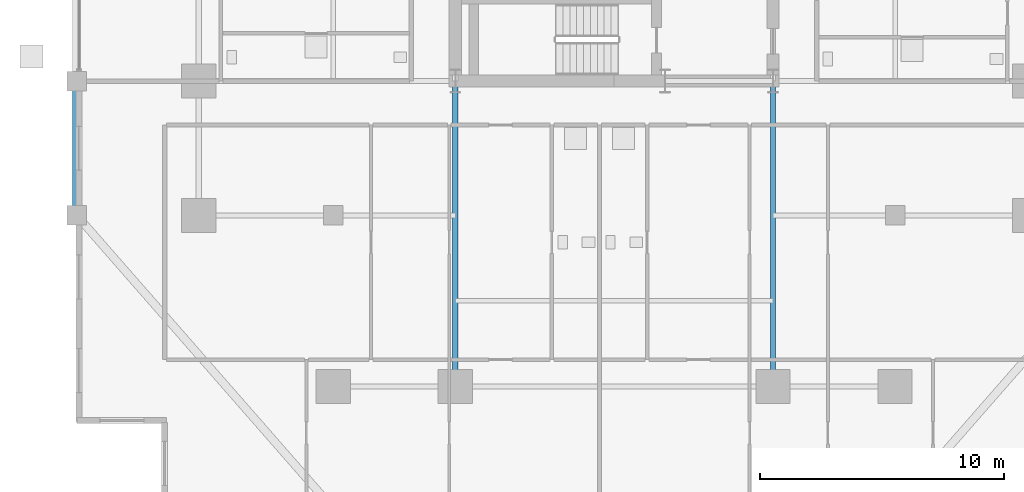
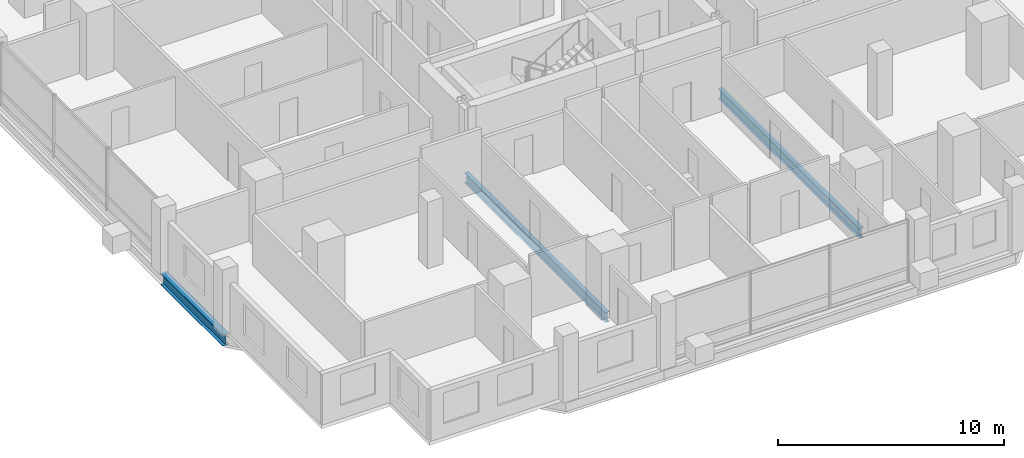
# One storey, part 3 of 23: 3 beams.
"""IFC4 building model written with IfcOpenShell, lengths in metres."""

from ifc_helpers import new_model, si_unit, direction, frame, origin, origin_2d, place, context, subcontext, project, spatial, i_section, extrude, material, material_profile, profile_set, type_object, element, save


model = new_model("IFC4")

# Units and contexts
model_context = context("Model", 3, precision=1e-05, world=origin(), true_north=direction((0.0, 1.0)))
body_context = subcontext(model_context, "Body", "Model", "MODEL_VIEW")
ifc_project = project(units=[si_unit("LENGTHUNIT", "METRE"), si_unit("AREAUNIT", "SQUARE_METRE"), si_unit("VOLUMEUNIT", "CUBIC_METRE"), si_unit("PLANEANGLEUNIT", "RADIAN"), si_unit("MASSUNIT", "GRAM", prefix="KILO")], contexts=[model_context])

# Site, building, storey
site_placement = place(None, origin())
site = spatial("IfcSite", under=ifc_project, at=site_placement, CompositionType="ELEMENT")
building_placement = place(site_placement, origin())
building = spatial("IfcBuilding", under=site, at=building_placement, Name="Barlavira Tower and Art Museum", CompositionType="ELEMENT")
storey_placement = place(building_placement, frame((0.0, 0.0, 75.60009765625)))
storey = spatial("IfcBuildingStorey", under=building, at=storey_placement, Name="L18", CompositionType="ELEMENT", Elevation=75.60009765625)

# Beams
ifc_material = material(Name="Steel S355", Category="steel")
ifc_material_profile_1 = material_profile(ifc_material, i_section(OverallWidth=0.327880859375, OverallDepth=0.62890625, WebThickness=0.013916015625, FlangeThickness=0.021484375, at=origin_2d()), Name="W610x174.0")
ifc_profile_set_1 = profile_set([ifc_material_profile_1], Name="Steel S355")
beam_type_1 = type_object("IfcBeamType", Name="Perimeter Spandrel Edge Beam W610x174 Steel S355", PredefinedType="SPANDREL", material=ifc_profile_set_1)
beam_placement = place(storey_placement, frame((-22.0, -13.0, -0.53466796875), z_axis=(0.0, 1.0, 0.0), x_axis=(-1.0, 0.0, 0.0)))
element("IfcBeam", 1, at=beam_placement, inside=storey, type_object=beam_type_1, Name="L18 Spandrel 15", PredefinedType="SPANDREL", context=body_context, shape_type="SweptSolid", body=[
    extrude(i_section(OverallWidth=0.327880859375, OverallDepth=0.62890625, WebThickness=0.013916015625, FlangeThickness=0.021484375, at=origin_2d()), origin(), (0.0, 0.0, 1.0), 5.5),
])
ifc_material_profile_2 = material_profile(ifc_material, i_section(OverallWidth=0.214111328125, OverallDepth=0.549072265625, WebThickness=0.0146484375, FlangeThickness=0.023681640625, at=origin_2d()), Name="W530x138.0")
ifc_profile_set_2 = profile_set([ifc_material_profile_2], Name="Steel S355")
beam_type_2 = type_object("IfcBeamType", Name="Zone 1 Primary Floor Girder W530x138 Steel S355", PredefinedType="BEAM", material=ifc_profile_set_2)
for number, where, z_axis, x_axis, name in (
    (2, (-6.5, -20.0, -0.49462890625), (0.0, 1.0, 0.0), (-1.0, 0.0, 0.0), "L18 Girder R-S1"),
    (3, (6.5, -20.0, -0.49462890625), (0.0, 1.0, 0.0), (-1.0, 0.0, 0.0), "L18 Girder R-S2"),
):
    element("IfcBeam", number, at=place(storey_placement, frame(where, z_axis=z_axis, x_axis=x_axis)), inside=storey, type_object=beam_type_2, Name=name, PredefinedType="BEAM", context=body_context, shape_type="SweptSolid", body=[
        extrude(i_section(OverallWidth=0.214111328125, OverallDepth=0.549072265625, WebThickness=0.0146484375, FlangeThickness=0.023681640625, at=origin_2d()), origin(), (0.0, 0.0, 1.0), 12.5),
    ])

save(model, "model.ifc")
